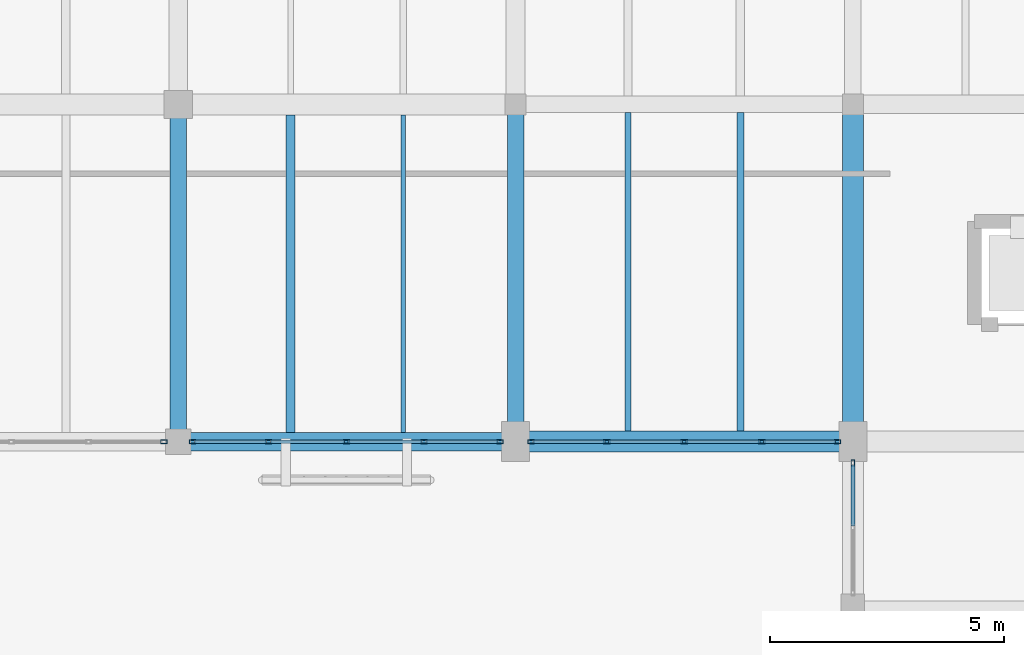
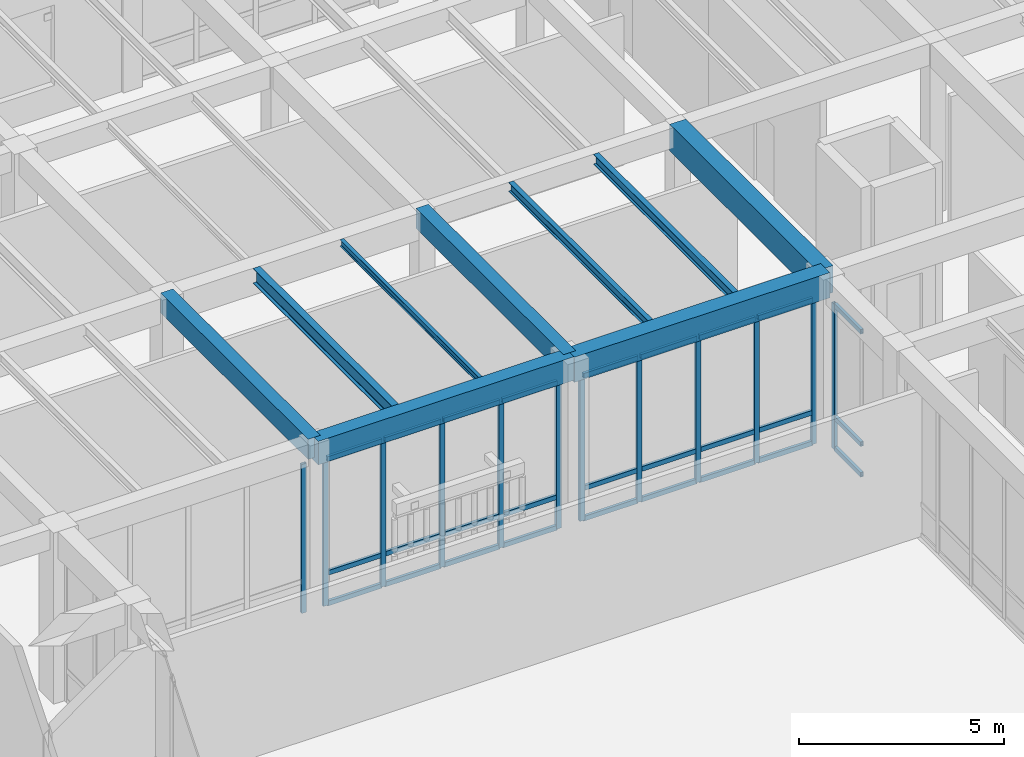
# One storey, part 102 of 169: 39 members, 9 beams, 4 elements without a shape of their own.
"""IFC4 building model written with IfcOpenShell, lengths in metres."""

import ifcopenshell
import ifcopenshell.guid

model = None  # the IFC model being written
_history = None  # IfcOwnerHistory: only IFC2X3 demands one
_inside = {}  # id of a spatial element -> (the spatial element, [elements in it])
_under = {}  # id of a project, library or spatial element -> (it, [spatial elements below it])
_declared = {}  # id of a project -> (the project, [libraries it declares])
_typed = {}  # id of a type object -> (the type object, [elements of that type])
_made_of = {}  # id of a material, layer set ... -> (it, [elements and type objects made of it])


def new_model(schema):
    """Start an empty IFC model of exactly this schema.

    Asked for "IFC4X3", IfcOpenShell would pick the latest addendum, in which some entities
    have other attributes; the version numbers below select the first issue.
    IFC2X3 requires an IfcOwnerHistory on every rooted entity: one is made here for all.
    """
    global model, _history
    if schema == "IFC4X3":
        model = ifcopenshell.file(schema_version=(4, 3, 0, 0))
    else:
        model = ifcopenshell.file(schema=schema)
    _inside.clear()
    _under.clear()
    _declared.clear()
    _typed.clear()
    _made_of.clear()
    _history = None
    if model.schema == "IFC2X3":
        org = make("IfcOrganization", Name="unknown")
        user = make(
            "IfcPersonAndOrganization",
            ThePerson=make("IfcPerson", FamilyName="unknown"),
            TheOrganization=org,
        )
        app = make(
            "IfcApplication",
            ApplicationDeveloper=org,
            Version="unknown",
            ApplicationFullName="unknown",
            ApplicationIdentifier="unknown",
        )
        _history = make(
            "IfcOwnerHistory",
            OwningUser=user,
            OwningApplication=app,
            ChangeAction="ADDED",
            CreationDate=0,
        )
    return model


def make(cls, **values):
    """One entity of the class cls with the attributes given. An attribute that is None is left unset."""
    return model.create_entity(
        cls, **{name: value for name, value in values.items() if value is not None}
    )


def rooted(cls, **values):
    """An entity with a GlobalId (a new one), such as an element, a storey or a relation."""
    return make(cls, GlobalId=ifcopenshell.guid.new(), OwnerHistory=_history, **values)


def si_unit(unit_type, name, prefix=None):
    """IfcSIUnit, for example si_unit("LENGTHUNIT", "METRE", prefix="MILLI")."""
    return make("IfcSIUnit", UnitType=unit_type, Prefix=prefix, Name=name)


def assignment(units):
    """IfcUnitAssignment: the units of a project."""
    return None if units is None else make("IfcUnitAssignment", Units=units)


def point(xyz):
    """IfcCartesianPoint."""
    return None if xyz is None else make("IfcCartesianPoint", Coordinates=xyz)


def direction(xyz):
    """IfcDirection."""
    return None if xyz is None else make("IfcDirection", DirectionRatios=xyz)


def frame(location, z_axis=None, x_axis=None):
    """IfcAxis2Placement3D, a coordinate frame: its origin and axes. An axis left out is left unset."""
    return make(
        "IfcAxis2Placement3D",
        Location=point(location),
        Axis=direction(z_axis),
        RefDirection=direction(x_axis),
    )


def frame_2d(location, x_axis=None):
    """IfcAxis2Placement2D, a coordinate frame in the plane: its origin and x axis."""
    return make(
        "IfcAxis2Placement2D", Location=point(location), RefDirection=direction(x_axis)
    )


def origin():
    """The frame at (0, 0, 0) with its axes left unset."""
    return frame((0.0, 0.0, 0.0))


def origin_2d():
    """The frame at (0, 0) in the plane with its x axis left unset."""
    return frame_2d((0.0, 0.0))


def place(relative_to, where):
    """IfcLocalPlacement: puts the frame where relative to a parent placement (None: the world)."""
    return make(
        "IfcLocalPlacement", PlacementRelTo=relative_to, RelativePlacement=where
    )


def context(
    kind, dimensions, precision=None, world=None, true_north=None, identifier=None
):
    """IfcGeometricRepresentationContext, for example the 3D "Model" context."""
    return make(
        "IfcGeometricRepresentationContext",
        ContextIdentifier=identifier,
        ContextType=kind,
        CoordinateSpaceDimension=dimensions,
        Precision=precision,
        WorldCoordinateSystem=world,
        TrueNorth=true_north,
    )


def subcontext(parent, identifier, kind, view, scale=None):
    """IfcGeometricRepresentationSubContext, for example "Body" below "Model"."""
    return make(
        "IfcGeometricRepresentationSubContext",
        ContextIdentifier=identifier,
        ContextType=kind,
        ParentContext=parent,
        TargetScale=scale,
        TargetView=view,
    )


def project(units=None, contexts=None):
    """IfcProject with its units and contexts."""
    return rooted(
        "IfcProject",
        Name="project",
        RepresentationContexts=contexts,
        UnitsInContext=assignment(units),
    )


def spatial(cls, under=None, at=None, **own):
    """A site, building, storey or space (cls), placed at a placement, below another one or the project."""
    s = rooted(cls, ObjectPlacement=at, **own)
    if under is not None:
        _under.setdefault(under.id(), (under, []))[1].append(s)
    return s


def profile(cls, at=None, kind="AREA", **sizes):
    """A parametric profile (cls). Its sizes go by their IFC names, for example OverallWidth=200.0."""
    return make(cls, ProfileType=kind, Position=at, **sizes)


def rectangle(**sizes):
    """IfcRectangleProfileDef."""
    return profile("IfcRectangleProfileDef", **sizes)


def hollow_rectangle(**sizes):
    """IfcRectangleHollowProfileDef."""
    return profile("IfcRectangleHollowProfileDef", **sizes)


def i_section(**sizes):
    """IfcIShapeProfileDef."""
    return profile("IfcIShapeProfileDef", **sizes)


def extrude(swept, where, along, depth):
    """IfcExtrudedAreaSolid: the profile swept, set in the frame where, extruded along a direction by depth."""
    return make(
        "IfcExtrudedAreaSolid",
        SweptArea=swept,
        Position=where,
        ExtrudedDirection=direction(along),
        Depth=depth,
    )


def shape(context_of_items, identifier, shape_type, items):
    """IfcShapeRepresentation: the items that make up one representation, for example the "Body"."""
    return make(
        "IfcShapeRepresentation",
        ContextOfItems=context_of_items,
        RepresentationIdentifier=identifier,
        RepresentationType=shape_type,
        Items=items,
    )


def material(Name=None, Category=None):
    """IfcMaterial."""
    return make("IfcMaterial", Name=Name, Category=Category)


def layer(
    of_material, thickness, ventilated=None, Name=None, Category=None, Priority=None
):
    """IfcMaterialLayer: one layer of a wall or slab, of a material (None: an air gap)."""
    return make(
        "IfcMaterialLayer",
        Material=of_material,
        LayerThickness=thickness,
        IsVentilated=ventilated,
        Name=Name,
        Category=Category,
        Priority=Priority,
    )


def layer_set(layers, Name=None):
    """IfcMaterialLayerSet."""
    return make("IfcMaterialLayerSet", MaterialLayers=layers, LayerSetName=Name)


def material_profile(
    of_material, cross_section, Name=None, Category=None, Priority=None
):
    """IfcMaterialProfile: a cross section and its material."""
    return make(
        "IfcMaterialProfile",
        Name=Name,
        Material=of_material,
        Profile=cross_section,
        Priority=Priority,
        Category=Category,
    )


def profile_set(profiles, Name=None, composite=None):
    """IfcMaterialProfileSet."""
    return make(
        "IfcMaterialProfileSet",
        Name=Name,
        MaterialProfiles=profiles,
        CompositeProfile=composite,
    )


def made_of(thing, what):
    """Note that an element or type object is made of a material, layer set ...; save() writes the relation."""
    if what is not None:
        _made_of.setdefault(what.id(), (what, []))[1].append(thing)
    return thing


def type_object(cls, material=None, **own):
    """A type object (cls), such as IfcWallType, which elements share."""
    return made_of(rooted(cls, **own), material)


def element(
    cls,
    number,
    at=None,
    inside=None,
    cuts=None,
    type_object=None,
    material=None,
    context=None,
    identifier="Body",
    shape_type=None,
    held_by="IfcProductDefinitionShape",
    body=None,
    shapes=None,
    **own,
):
    """One element of the class cls, such as IfcWall. Its Tag is "e" and its number.

    at: its placement. inside: the storey or other place that contains it. cuts: it is an
    opening in that element (IfcRelVoidsElement). A single representation is given by context,
    identifier, shape_type and body (its items); several are given by shapes. held_by: the class
    of the entity that holds the representations. save() writes the other relations.
    """
    e = rooted(cls, Tag="e%d" % number, ObjectPlacement=at, **own)
    if body is not None:
        shapes = [shape(context, identifier, shape_type, body)]
    if shapes is not None:
        e.Representation = make(held_by, Representations=shapes)
    if inside is not None:
        _inside.setdefault(inside.id(), (inside, []))[1].append(e)
    if cuts is not None:
        rooted(
            "IfcRelVoidsElement", RelatingBuildingElement=cuts, RelatedOpeningElement=e
        )
    if type_object is not None:
        _typed.setdefault(type_object.id(), (type_object, []))[1].append(e)
    return made_of(e, material)


def aggregate(whole, parts):
    """IfcRelAggregates: a whole, such as a stair, and the parts it consists of."""
    return rooted("IfcRelAggregates", RelatingObject=whole, RelatedObjects=parts)


def save(model, path):
    """Write the relations noted so far, then the file.

    IfcRelAggregates (storeys below a building ...), IfcRelContainedInSpatialStructure (elements
    in a storey), IfcRelDefinesByType, IfcRelAssociatesMaterial and IfcRelDeclares: one each for
    every whole, place, type object, material and project.
    """
    for whole, parts in _under.values():
        aggregate(whole, parts)
    for where, things in _inside.values():
        rooted(
            "IfcRelContainedInSpatialStructure",
            RelatedElements=things,
            RelatingStructure=where,
        )
    for kind, things in _typed.values():
        rooted("IfcRelDefinesByType", RelatedObjects=things, RelatingType=kind)
    for what, things in _made_of.values():
        rooted("IfcRelAssociatesMaterial", RelatedObjects=things, RelatingMaterial=what)
    for by, libraries in _declared.values():
        rooted("IfcRelDeclares", RelatingContext=by, RelatedDefinitions=libraries)
    model.write(path)


model = new_model("IFC4")

# Units and contexts
model_context = context("Model", 3, precision=1e-05, world=origin(), true_north=direction((0.0, 1.0)))
body_context = subcontext(model_context, "Body", "Model", "MODEL_VIEW")
ifc_project = project(units=[si_unit("LENGTHUNIT", "METRE"), si_unit("AREAUNIT", "SQUARE_METRE"), si_unit("VOLUMEUNIT", "CUBIC_METRE"), si_unit("PLANEANGLEUNIT", "RADIAN"), si_unit("MASSUNIT", "GRAM", prefix="KILO")], contexts=[model_context])

# Site, building, storey
site_placement = place(None, origin())
site = spatial("IfcSite", under=ifc_project, at=site_placement, CompositionType="ELEMENT")
building_placement = place(site_placement, origin())
building = spatial("IfcBuilding", under=site, at=building_placement, Name="Mazaris Harbour Polytechnic", CompositionType="ELEMENT")
storey_placement = place(building_placement, origin())
storey = spatial("IfcBuildingStorey", under=building, at=storey_placement, Name="L00", CompositionType="ELEMENT", Elevation=0.0)

# Curtain wall, member
ifc_material_1 = material(Name="Anodised Bronze Aluminium and Low-E Glass", Category="aluminium")
ifc_layer = layer(ifc_material_1, 0.169921875, Name="Anodised Bronze Aluminium and Low-E Glass")
ifc_layer_set = layer_set([ifc_layer], Name="Anodised Bronze Aluminium and Low-E Glass")
curtain_wall_type = type_object("IfcCurtainWallType", Name="Studio North-Light Curtain Wall", PredefinedType="NOTDEFINED", material=ifc_layer_set)
curtain_wall_1_placement = place(storey_placement, origin())
curtain_wall_1 = element("IfcCurtainWall", 1, at=curtain_wall_1_placement, inside=storey, type_object=curtain_wall_type, Name="V5 L00 Curtain Wall 194", PredefinedType="NOTDEFINED")
ifc_material_2 = material(Name="Anodised Bronze Steel S355", Category="steel")
ifc_material_profile_1 = material_profile(ifc_material_2, hollow_rectangle(XDim=0.080078125, YDim=0.139892578125, WallThickness=0.00634765625, at=origin_2d()), Name="RHS 80x140x6.3")
ifc_profile_set_1 = profile_set([ifc_material_profile_1], Name="Anodised Bronze Steel S355")
member_type_1 = type_object("IfcMemberType", Name="Curtain Mullion RHS80x140", PredefinedType="MULLION", material=ifc_profile_set_1)
member_1_placement = place(storey_placement, frame((143.693115234375, 86.39990234375, 0.0), z_axis=(0.0, 0.0, 1.0), x_axis=(0.0, -1.0, 0.0)))
member_1 = element("IfcMember", 2, at=member_1_placement, type_object=member_type_1, Name="CW-03 mullion 1", PredefinedType="MULLION", context=body_context, shape_type="SweptSolid", body=[
    extrude(hollow_rectangle(XDim=0.080078125, YDim=0.139892578125, WallThickness=0.00634765625, at=origin_2d()), origin(), (0.0, 0.0, 1.0), 4.43994140625),
])
aggregate(curtain_wall_1, [member_1])

# Curtain wall, members
curtain_wall_2_placement = place(storey_placement, origin())
curtain_wall_2 = element("IfcCurtainWall", 3, at=curtain_wall_2_placement, inside=storey, type_object=curtain_wall_type, Name="V5 L00 Curtain Wall 195", PredefinedType="NOTDEFINED")
member_2_placement = place(storey_placement, frame((150.867919921875, 86.39990234375, 0.0), z_axis=(0.0, 0.0, 1.0), x_axis=(0.0, -1.0, 0.0)))
member_2 = element("IfcMember", 4, at=member_2_placement, type_object=member_type_1, Name="CW-03 mullion 1", PredefinedType="MULLION", context=body_context, shape_type="SweptSolid", body=[
    extrude(hollow_rectangle(XDim=0.080078125, YDim=0.139892578125, WallThickness=0.00634765625, at=origin_2d()), origin(), (0.0, 0.0, 1.0), 4.389892578125),
])
member_3_placement = place(storey_placement, frame((149.247802734375, 86.39990234375, 0.0), z_axis=(0.0, 0.0, 1.0), x_axis=(0.0, -1.0, 0.0)))
member_3 = element("IfcMember", 5, at=member_3_placement, type_object=member_type_1, Name="CW-03 mullion 2", PredefinedType="MULLION", context=body_context, shape_type="SweptSolid", body=[
    extrude(hollow_rectangle(XDim=0.080078125, YDim=0.139892578125, WallThickness=0.00634765625, at=origin_2d()), origin(), (0.0, 0.0, 1.0), 4.389892578125),
])
member_4_placement = place(storey_placement, frame((147.58740234375, 86.39990234375, 0.0), z_axis=(0.0, 0.0, 1.0), x_axis=(0.0, -1.0, 0.0)))
member_4 = element("IfcMember", 6, at=member_4_placement, type_object=member_type_1, Name="CW-03 mullion 3", PredefinedType="MULLION", context=body_context, shape_type="SweptSolid", body=[
    extrude(hollow_rectangle(XDim=0.080078125, YDim=0.139892578125, WallThickness=0.00634765625, at=origin_2d()), origin(), (0.0, 0.0, 1.0), 4.389892578125),
])
member_5_placement = place(storey_placement, frame((145.92724609375, 86.39990234375, 0.0), z_axis=(0.0, 0.0, 1.0), x_axis=(0.0, -1.0, 0.0)))
member_5 = element("IfcMember", 7, at=member_5_placement, type_object=member_type_1, Name="CW-03 mullion 4", PredefinedType="MULLION", context=body_context, shape_type="SweptSolid", body=[
    extrude(hollow_rectangle(XDim=0.080078125, YDim=0.139892578125, WallThickness=0.00634765625, at=origin_2d()), origin(), (0.0, 0.0, 1.0), 4.389892578125),
])
member_6_placement = place(storey_placement, frame((144.306884765625, 86.39990234375, 0.0), z_axis=(0.0, 0.0, 1.0), x_axis=(0.0, -1.0, 0.0)))
member_6 = element("IfcMember", 8, at=member_6_placement, type_object=member_type_1, Name="CW-03 mullion 5", PredefinedType="MULLION", context=body_context, shape_type="SweptSolid", body=[
    extrude(hollow_rectangle(XDim=0.080078125, YDim=0.139892578125, WallThickness=0.00634765625, at=origin_2d()), origin(), (0.0, 0.0, 1.0), 4.389892578125),
])

curtain_wall_3_placement = place(storey_placement, origin())
curtain_wall_3 = element("IfcCurtainWall", 9, at=curtain_wall_3_placement, inside=storey, type_object=curtain_wall_type, Name="V5 L00 Curtain Wall 196", PredefinedType="NOTDEFINED")
member_7_placement = place(storey_placement, frame((158.068115234375, 86.39990234375, 0.0), z_axis=(0.0, 0.0, 1.0), x_axis=(0.0, -1.0, 0.0)))
member_7 = element("IfcMember", 10, at=member_7_placement, type_object=member_type_1, Name="CW-03 mullion 1", PredefinedType="MULLION", context=body_context, shape_type="SweptSolid", body=[
    extrude(hollow_rectangle(XDim=0.080078125, YDim=0.139892578125, WallThickness=0.00634765625, at=origin_2d()), origin(), (0.0, 0.0, 1.0), 4.340087890625),
])
member_8_placement = place(storey_placement, frame((156.4541015625, 86.39990234375, 0.0), z_axis=(0.0, 0.0, 1.0), x_axis=(0.0, -1.0, 0.0)))
member_8 = element("IfcMember", 11, at=member_8_placement, type_object=member_type_1, Name="CW-03 mullion 2", PredefinedType="MULLION", context=body_context, shape_type="SweptSolid", body=[
    extrude(hollow_rectangle(XDim=0.080078125, YDim=0.139892578125, WallThickness=0.00634765625, at=origin_2d()), origin(), (0.0, 0.0, 1.0), 4.340087890625),
])
member_9_placement = place(storey_placement, frame((154.800048828125, 86.39990234375, 0.0), z_axis=(0.0, 0.0, 1.0), x_axis=(0.0, -1.0, 0.0)))
member_9 = element("IfcMember", 12, at=member_9_placement, type_object=member_type_1, Name="CW-03 mullion 3", PredefinedType="MULLION", context=body_context, shape_type="SweptSolid", body=[
    extrude(hollow_rectangle(XDim=0.080078125, YDim=0.139892578125, WallThickness=0.00634765625, at=origin_2d()), origin(), (0.0, 0.0, 1.0), 4.340087890625),
])
member_10_placement = place(storey_placement, frame((153.14599609375, 86.39990234375, 0.0), z_axis=(0.0, 0.0, 1.0), x_axis=(0.0, -1.0, 0.0)))
member_10 = element("IfcMember", 13, at=member_10_placement, type_object=member_type_1, Name="CW-03 mullion 4", PredefinedType="MULLION", context=body_context, shape_type="SweptSolid", body=[
    extrude(hollow_rectangle(XDim=0.080078125, YDim=0.139892578125, WallThickness=0.00634765625, at=origin_2d()), origin(), (0.0, 0.0, 1.0), 4.340087890625),
])
member_11_placement = place(storey_placement, frame((151.531982421875, 86.39990234375, 0.0), z_axis=(0.0, 0.0, 1.0), x_axis=(0.0, -1.0, 0.0)))
member_11 = element("IfcMember", 14, at=member_11_placement, type_object=member_type_1, Name="CW-03 mullion 5", PredefinedType="MULLION", context=body_context, shape_type="SweptSolid", body=[
    extrude(hollow_rectangle(XDim=0.080078125, YDim=0.139892578125, WallThickness=0.00634765625, at=origin_2d()), origin(), (0.0, 0.0, 1.0), 4.340087890625),
])

# Curtain wall, member
curtain_wall_4_placement = place(storey_placement, origin())
curtain_wall_4 = element("IfcCurtainWall", 15, at=curtain_wall_4_placement, inside=storey, type_object=curtain_wall_type, Name="V5 L00 Curtain Wall 204", PredefinedType="NOTDEFINED")
member_12_placement = place(storey_placement, frame((158.39990234375, 85.943115234375, 0.0), z_axis=(0.0, 0.0, 1.0), x_axis=(1.0, 0.0, 0.0)))
member_12 = element("IfcMember", 16, at=member_12_placement, type_object=member_type_1, Name="CW-03 mullion 1", PredefinedType="MULLION", context=body_context, shape_type="SweptSolid", body=[
    extrude(hollow_rectangle(XDim=0.080078125, YDim=0.139892578125, WallThickness=0.00634765625, at=origin_2d()), origin(), (0.0, 0.0, 1.0), 4.340087890625),
])

# Member
ifc_material_3 = material(Name="Anodised Bronze Steel S355", Category="steel")
ifc_material_profile_2 = material_profile(ifc_material_3, hollow_rectangle(XDim=0.080078125, YDim=0.139892578125, WallThickness=0.00634765625, at=origin_2d()), Name="RHS 80x140x6.3")
ifc_profile_set_2 = profile_set([ifc_material_profile_2], Name="Anodised Bronze Steel S355")
member_type_2 = type_object("IfcMemberType", Name="Curtain Transom RHS80x140", PredefinedType="USERDEFINED", material=ifc_profile_set_2)
member_13_placement = place(storey_placement, frame((150.827880859375, 86.39990234375, 0.0400390625), z_axis=(-1.0, 0.0, 0.0), x_axis=(0.0, -1.0, 0.0)))
member_13 = element("IfcMember", 17, at=member_13_placement, type_object=member_type_2, Name="CW-03 transom 1.1", ObjectType="TRANSOM", PredefinedType="USERDEFINED", context=body_context, shape_type="SweptSolid", body=[
    extrude(hollow_rectangle(XDim=0.080078125, YDim=0.139892578125, WallThickness=0.00634765625, at=origin_2d()), origin(), (0.0, 0.0, 1.0), 1.5400390625),
])

member_14_placement = place(storey_placement, frame((150.827880859375, 86.39990234375, 0.949951171875), z_axis=(-1.0, 0.0, 0.0), x_axis=(0.0, -1.0, 0.0)))
member_14 = element("IfcMember", 18, at=member_14_placement, type_object=member_type_2, Name="CW-03 transom 1.2", ObjectType="TRANSOM", PredefinedType="USERDEFINED", context=body_context, shape_type="SweptSolid", body=[
    extrude(hollow_rectangle(XDim=0.080078125, YDim=0.139892578125, WallThickness=0.00634765625, at=origin_2d()), origin(), (0.0, 0.0, 1.0), 1.5400390625),
])

member_15_placement = place(storey_placement, frame((150.827880859375, 86.39990234375, 4.35009765625), z_axis=(-1.0, 0.0, 0.0), x_axis=(0.0, -1.0, 0.0)))
member_15 = element("IfcMember", 19, at=member_15_placement, type_object=member_type_2, Name="CW-03 transom 1.3", ObjectType="TRANSOM", PredefinedType="USERDEFINED", context=body_context, shape_type="SweptSolid", body=[
    extrude(hollow_rectangle(XDim=0.080078125, YDim=0.139892578125, WallThickness=0.00634765625, at=origin_2d()), origin(), (0.0, 0.0, 1.0), 1.5400390625),
])

member_16_placement = place(storey_placement, frame((149.207763671875, 86.39990234375, 0.0400390625), z_axis=(-1.0, 0.0, 0.0), x_axis=(0.0, -1.0, 0.0)))
member_16 = element("IfcMember", 20, at=member_16_placement, type_object=member_type_2, Name="CW-03 transom 2.1", ObjectType="TRANSOM", PredefinedType="USERDEFINED", context=body_context, shape_type="SweptSolid", body=[
    extrude(hollow_rectangle(XDim=0.080078125, YDim=0.139892578125, WallThickness=0.00634765625, at=origin_2d()), origin(), (0.0, 0.0, 1.0), 1.580322265625),
])

member_17_placement = place(storey_placement, frame((149.207763671875, 86.39990234375, 0.949951171875), z_axis=(-1.0, 0.0, 0.0), x_axis=(0.0, -1.0, 0.0)))
member_17 = element("IfcMember", 21, at=member_17_placement, type_object=member_type_2, Name="CW-03 transom 2.2", ObjectType="TRANSOM", PredefinedType="USERDEFINED", context=body_context, shape_type="SweptSolid", body=[
    extrude(hollow_rectangle(XDim=0.080078125, YDim=0.139892578125, WallThickness=0.00634765625, at=origin_2d()), origin(), (0.0, 0.0, 1.0), 1.580322265625),
])

member_18_placement = place(storey_placement, frame((149.207763671875, 86.39990234375, 4.35009765625), z_axis=(-1.0, 0.0, 0.0), x_axis=(0.0, -1.0, 0.0)))
member_18 = element("IfcMember", 22, at=member_18_placement, type_object=member_type_2, Name="CW-03 transom 2.3", ObjectType="TRANSOM", PredefinedType="USERDEFINED", context=body_context, shape_type="SweptSolid", body=[
    extrude(hollow_rectangle(XDim=0.080078125, YDim=0.139892578125, WallThickness=0.00634765625, at=origin_2d()), origin(), (0.0, 0.0, 1.0), 1.580322265625),
])

member_19_placement = place(storey_placement, frame((147.547607421875, 86.39990234375, 0.0400390625), z_axis=(-1.0, 0.0, 0.0), x_axis=(0.0, -1.0, 0.0)))
member_19 = element("IfcMember", 23, at=member_19_placement, type_object=member_type_2, Name="CW-03 transom 3.1", ObjectType="TRANSOM", PredefinedType="USERDEFINED", context=body_context, shape_type="SweptSolid", body=[
    extrude(hollow_rectangle(XDim=0.080078125, YDim=0.139892578125, WallThickness=0.00634765625, at=origin_2d()), origin(), (0.0, 0.0, 1.0), 1.580322265625),
])

member_20_placement = place(storey_placement, frame((147.547607421875, 86.39990234375, 0.949951171875), z_axis=(-1.0, 0.0, 0.0), x_axis=(0.0, -1.0, 0.0)))
member_20 = element("IfcMember", 24, at=member_20_placement, type_object=member_type_2, Name="CW-03 transom 3.2", ObjectType="TRANSOM", PredefinedType="USERDEFINED", context=body_context, shape_type="SweptSolid", body=[
    extrude(hollow_rectangle(XDim=0.080078125, YDim=0.139892578125, WallThickness=0.00634765625, at=origin_2d()), origin(), (0.0, 0.0, 1.0), 1.580322265625),
])

member_21_placement = place(storey_placement, frame((147.547607421875, 86.39990234375, 4.35009765625), z_axis=(-1.0, 0.0, 0.0), x_axis=(0.0, -1.0, 0.0)))
member_21 = element("IfcMember", 25, at=member_21_placement, type_object=member_type_2, Name="CW-03 transom 3.3", ObjectType="TRANSOM", PredefinedType="USERDEFINED", context=body_context, shape_type="SweptSolid", body=[
    extrude(hollow_rectangle(XDim=0.080078125, YDim=0.139892578125, WallThickness=0.00634765625, at=origin_2d()), origin(), (0.0, 0.0, 1.0), 1.580322265625),
])

member_22_placement = place(storey_placement, frame((145.88720703125, 86.39990234375, 0.0400390625), z_axis=(-1.0, 0.0, 0.0), x_axis=(0.0, -1.0, 0.0)))
member_22 = element("IfcMember", 26, at=member_22_placement, type_object=member_type_2, Name="CW-03 transom 4.1", ObjectType="TRANSOM", PredefinedType="USERDEFINED", context=body_context, shape_type="SweptSolid", body=[
    extrude(hollow_rectangle(XDim=0.080078125, YDim=0.139892578125, WallThickness=0.00634765625, at=origin_2d()), origin(), (0.0, 0.0, 1.0), 1.540283203125),
])

member_23_placement = place(storey_placement, frame((145.88720703125, 86.39990234375, 0.949951171875), z_axis=(-1.0, 0.0, 0.0), x_axis=(0.0, -1.0, 0.0)))
member_23 = element("IfcMember", 27, at=member_23_placement, type_object=member_type_2, Name="CW-03 transom 4.2", ObjectType="TRANSOM", PredefinedType="USERDEFINED", context=body_context, shape_type="SweptSolid", body=[
    extrude(hollow_rectangle(XDim=0.080078125, YDim=0.139892578125, WallThickness=0.00634765625, at=origin_2d()), origin(), (0.0, 0.0, 1.0), 1.540283203125),
])

member_24_placement = place(storey_placement, frame((145.88720703125, 86.39990234375, 4.35009765625), z_axis=(-1.0, 0.0, 0.0), x_axis=(0.0, -1.0, 0.0)))
member_24 = element("IfcMember", 28, at=member_24_placement, type_object=member_type_2, Name="CW-03 transom 4.3", ObjectType="TRANSOM", PredefinedType="USERDEFINED", context=body_context, shape_type="SweptSolid", body=[
    extrude(hollow_rectangle(XDim=0.080078125, YDim=0.139892578125, WallThickness=0.00634765625, at=origin_2d()), origin(), (0.0, 0.0, 1.0), 1.540283203125),
])

aggregate(curtain_wall_2, [member_2, member_3, member_4, member_5, member_6, member_13, member_14, member_15, member_16, member_17, member_18, member_19, member_20, member_21, member_22, member_23, member_24])

member_25_placement = place(storey_placement, frame((158.028076171875, 86.39990234375, 0.0400390625), z_axis=(-1.0, 0.0, 0.0), x_axis=(0.0, -1.0, 0.0)))
member_25 = element("IfcMember", 29, at=member_25_placement, type_object=member_type_2, Name="CW-03 transom 1.1", ObjectType="TRANSOM", PredefinedType="USERDEFINED", context=body_context, shape_type="SweptSolid", body=[
    extrude(hollow_rectangle(XDim=0.080078125, YDim=0.139892578125, WallThickness=0.00634765625, at=origin_2d()), origin(), (0.0, 0.0, 1.0), 1.5341796875),
])

member_26_placement = place(storey_placement, frame((158.028076171875, 86.39990234375, 0.949951171875), z_axis=(-1.0, 0.0, 0.0), x_axis=(0.0, -1.0, 0.0)))
member_26 = element("IfcMember", 30, at=member_26_placement, type_object=member_type_2, Name="CW-03 transom 1.2", ObjectType="TRANSOM", PredefinedType="USERDEFINED", context=body_context, shape_type="SweptSolid", body=[
    extrude(hollow_rectangle(XDim=0.080078125, YDim=0.139892578125, WallThickness=0.00634765625, at=origin_2d()), origin(), (0.0, 0.0, 1.0), 1.5341796875),
])

member_27_placement = place(storey_placement, frame((158.028076171875, 86.39990234375, 4.300048828125), z_axis=(-1.0, 0.0, 0.0), x_axis=(0.0, -1.0, 0.0)))
member_27 = element("IfcMember", 31, at=member_27_placement, type_object=member_type_2, Name="CW-03 transom 1.3", ObjectType="TRANSOM", PredefinedType="USERDEFINED", context=body_context, shape_type="SweptSolid", body=[
    extrude(hollow_rectangle(XDim=0.080078125, YDim=0.139892578125, WallThickness=0.00634765625, at=origin_2d()), origin(), (0.0, 0.0, 1.0), 1.5341796875),
])

member_28_placement = place(storey_placement, frame((156.4140625, 86.39990234375, 0.0400390625), z_axis=(-1.0, 0.0, 0.0), x_axis=(0.0, -1.0, 0.0)))
member_28 = element("IfcMember", 32, at=member_28_placement, type_object=member_type_2, Name="CW-03 transom 2.1", ObjectType="TRANSOM", PredefinedType="USERDEFINED", context=body_context, shape_type="SweptSolid", body=[
    extrude(hollow_rectangle(XDim=0.080078125, YDim=0.139892578125, WallThickness=0.00634765625, at=origin_2d()), origin(), (0.0, 0.0, 1.0), 1.573974609375),
])

member_29_placement = place(storey_placement, frame((156.4140625, 86.39990234375, 0.949951171875), z_axis=(-1.0, 0.0, 0.0), x_axis=(0.0, -1.0, 0.0)))
member_29 = element("IfcMember", 33, at=member_29_placement, type_object=member_type_2, Name="CW-03 transom 2.2", ObjectType="TRANSOM", PredefinedType="USERDEFINED", context=body_context, shape_type="SweptSolid", body=[
    extrude(hollow_rectangle(XDim=0.080078125, YDim=0.139892578125, WallThickness=0.00634765625, at=origin_2d()), origin(), (0.0, 0.0, 1.0), 1.573974609375),
])

member_30_placement = place(storey_placement, frame((156.4140625, 86.39990234375, 4.300048828125), z_axis=(-1.0, 0.0, 0.0), x_axis=(0.0, -1.0, 0.0)))
member_30 = element("IfcMember", 34, at=member_30_placement, type_object=member_type_2, Name="CW-03 transom 2.3", ObjectType="TRANSOM", PredefinedType="USERDEFINED", context=body_context, shape_type="SweptSolid", body=[
    extrude(hollow_rectangle(XDim=0.080078125, YDim=0.139892578125, WallThickness=0.00634765625, at=origin_2d()), origin(), (0.0, 0.0, 1.0), 1.573974609375),
])

member_31_placement = place(storey_placement, frame((154.760009765625, 86.39990234375, 0.0400390625), z_axis=(-1.0, 0.0, 0.0), x_axis=(0.0, -1.0, 0.0)))
member_31 = element("IfcMember", 35, at=member_31_placement, type_object=member_type_2, Name="CW-03 transom 3.1", ObjectType="TRANSOM", PredefinedType="USERDEFINED", context=body_context, shape_type="SweptSolid", body=[
    extrude(hollow_rectangle(XDim=0.080078125, YDim=0.139892578125, WallThickness=0.00634765625, at=origin_2d()), origin(), (0.0, 0.0, 1.0), 1.573974609375),
])

member_32_placement = place(storey_placement, frame((154.760009765625, 86.39990234375, 0.949951171875), z_axis=(-1.0, 0.0, 0.0), x_axis=(0.0, -1.0, 0.0)))
member_32 = element("IfcMember", 36, at=member_32_placement, type_object=member_type_2, Name="CW-03 transom 3.2", ObjectType="TRANSOM", PredefinedType="USERDEFINED", context=body_context, shape_type="SweptSolid", body=[
    extrude(hollow_rectangle(XDim=0.080078125, YDim=0.139892578125, WallThickness=0.00634765625, at=origin_2d()), origin(), (0.0, 0.0, 1.0), 1.573974609375),
])

member_33_placement = place(storey_placement, frame((154.760009765625, 86.39990234375, 4.300048828125), z_axis=(-1.0, 0.0, 0.0), x_axis=(0.0, -1.0, 0.0)))
member_33 = element("IfcMember", 37, at=member_33_placement, type_object=member_type_2, Name="CW-03 transom 3.3", ObjectType="TRANSOM", PredefinedType="USERDEFINED", context=body_context, shape_type="SweptSolid", body=[
    extrude(hollow_rectangle(XDim=0.080078125, YDim=0.139892578125, WallThickness=0.00634765625, at=origin_2d()), origin(), (0.0, 0.0, 1.0), 1.573974609375),
])

member_34_placement = place(storey_placement, frame((153.10595703125, 86.39990234375, 0.0400390625), z_axis=(-1.0, 0.0, 0.0), x_axis=(0.0, -1.0, 0.0)))
member_34 = element("IfcMember", 38, at=member_34_placement, type_object=member_type_2, Name="CW-03 transom 4.1", ObjectType="TRANSOM", PredefinedType="USERDEFINED", context=body_context, shape_type="SweptSolid", body=[
    extrude(hollow_rectangle(XDim=0.080078125, YDim=0.139892578125, WallThickness=0.00634765625, at=origin_2d()), origin(), (0.0, 0.0, 1.0), 1.533935546875),
])

member_35_placement = place(storey_placement, frame((153.10595703125, 86.39990234375, 0.949951171875), z_axis=(-1.0, 0.0, 0.0), x_axis=(0.0, -1.0, 0.0)))
member_35 = element("IfcMember", 39, at=member_35_placement, type_object=member_type_2, Name="CW-03 transom 4.2", ObjectType="TRANSOM", PredefinedType="USERDEFINED", context=body_context, shape_type="SweptSolid", body=[
    extrude(hollow_rectangle(XDim=0.080078125, YDim=0.139892578125, WallThickness=0.00634765625, at=origin_2d()), origin(), (0.0, 0.0, 1.0), 1.533935546875),
])

member_36_placement = place(storey_placement, frame((153.10595703125, 86.39990234375, 4.300048828125), z_axis=(-1.0, 0.0, 0.0), x_axis=(0.0, -1.0, 0.0)))
member_36 = element("IfcMember", 40, at=member_36_placement, type_object=member_type_2, Name="CW-03 transom 4.3", ObjectType="TRANSOM", PredefinedType="USERDEFINED", context=body_context, shape_type="SweptSolid", body=[
    extrude(hollow_rectangle(XDim=0.080078125, YDim=0.139892578125, WallThickness=0.00634765625, at=origin_2d()), origin(), (0.0, 0.0, 1.0), 1.533935546875),
])

aggregate(curtain_wall_3, [member_7, member_8, member_9, member_10, member_11, member_25, member_26, member_27, member_28, member_29, member_30, member_31, member_32, member_33, member_34, member_35, member_36])

member_37_placement = place(storey_placement, frame((158.39990234375, 85.903076171875, 0.0400390625), z_axis=(0.0, -1.0, 0.0), x_axis=(1.0, 0.0, 0.0)))
member_37 = element("IfcMember", 41, at=member_37_placement, type_object=member_type_2, Name="CW-03 transom 1.1", ObjectType="TRANSOM", PredefinedType="USERDEFINED", context=body_context, shape_type="SweptSolid", body=[
    extrude(hollow_rectangle(XDim=0.080078125, YDim=0.139892578125, WallThickness=0.00634765625, at=origin_2d()), origin(), (0.0, 0.0, 1.0), 1.300537109375),
])

member_38_placement = place(storey_placement, frame((158.39990234375, 85.903076171875, 0.949951171875), z_axis=(0.0, -1.0, 0.0), x_axis=(1.0, 0.0, 0.0)))
member_38 = element("IfcMember", 42, at=member_38_placement, type_object=member_type_2, Name="CW-03 transom 1.2", ObjectType="TRANSOM", PredefinedType="USERDEFINED", context=body_context, shape_type="SweptSolid", body=[
    extrude(hollow_rectangle(XDim=0.080078125, YDim=0.139892578125, WallThickness=0.00634765625, at=origin_2d()), origin(), (0.0, 0.0, 1.0), 1.300537109375),
])

member_39_placement = place(storey_placement, frame((158.39990234375, 85.903076171875, 4.300048828125), z_axis=(0.0, -1.0, 0.0), x_axis=(1.0, 0.0, 0.0)))
member_39 = element("IfcMember", 43, at=member_39_placement, type_object=member_type_2, Name="CW-03 transom 1.3", ObjectType="TRANSOM", PredefinedType="USERDEFINED", context=body_context, shape_type="SweptSolid", body=[
    extrude(hollow_rectangle(XDim=0.080078125, YDim=0.139892578125, WallThickness=0.00634765625, at=origin_2d()), origin(), (0.0, 0.0, 1.0), 1.300537109375),
])

aggregate(curtain_wall_4, [member_12, member_37, member_38, member_39])

# Beams
ifc_material_4 = material(Name="Concrete C35/45", Category="concrete")
ifc_material_profile_3 = material_profile(ifc_material_4, rectangle(XDim=0.35009765625, YDim=0.60009765625, at=origin_2d()), Name="RECT350x600")
ifc_profile_set_3 = profile_set([ifc_material_profile_3], Name="Concrete C35/45")
beam_type_1 = type_object("IfcBeamType", Name="RC Girder 350x600", PredefinedType="BEAM", material=ifc_profile_set_3)
for number, where, z_axis, x_axis, name in (
    (44, (144.0, 86.39990234375, 4.800048828125), (0.0, 1.0, 0.0), (-1.0, 0.0, 0.0), "V5 L00 Tie Girder 2785"),
    (45, (151.199951171875, 86.39990234375, 4.800048828125), (0.0, 1.0, 0.0), (-1.0, 0.0, 0.0), "V5 L00 Tie Girder 2790"),
):
    element("IfcBeam", number, at=place(storey_placement, frame(where, z_axis=z_axis, x_axis=x_axis)), inside=storey, type_object=beam_type_1, Name=name, PredefinedType="BEAM", context=body_context, shape_type="SweptSolid", body=[
        extrude(rectangle(XDim=0.35009765625, YDim=0.60009765625, at=origin_2d()), origin(), (0.0, 0.0, 1.0), 7.2001953125),
    ])
ifc_material_5 = material(Name="Concrete C35/45", Category="concrete")
ifc_material_profile_4 = material_profile(ifc_material_5, rectangle(XDim=0.39990234375, YDim=0.699951171875, at=origin_2d()), Name="RECT400x700")
ifc_profile_set_4 = profile_set([ifc_material_profile_4], Name="Concrete C35/45")
beam_type_2 = type_object("IfcBeamType", Name="RC Girder 400x700", PredefinedType="BEAM", material=ifc_profile_set_4)
beam_1_placement = place(storey_placement, frame((144.0, 86.39990234375, 4.75), z_axis=(1.0, 0.0, 0.0), x_axis=(0.0, 1.0, 0.0)))
element("IfcBeam", 46, at=beam_1_placement, inside=storey, type_object=beam_type_2, Name="V5 L00 Girder 2732", PredefinedType="BEAM", context=body_context, shape_type="SweptSolid", body=[
    extrude(rectangle(XDim=0.39990234375, YDim=0.699951171875, at=origin_2d()), origin(), (0.0, 0.0, 1.0), 7.199951171875),
])
ifc_material_6 = material(Name="Concrete C40/50", Category="concrete")
ifc_material_profile_5 = material_profile(ifc_material_6, rectangle(XDim=0.449951171875, YDim=0.75, at=origin_2d()), Name="RECT450x750")
ifc_profile_set_5 = profile_set([ifc_material_profile_5], Name="Concrete C40/50")
beam_type_3 = type_object("IfcBeamType", Name="RC Girder 450x750", PredefinedType="BEAM", material=ifc_profile_set_5)
beam_2_placement = place(storey_placement, frame((151.199951171875, 86.39990234375, 4.72509765625), z_axis=(1.0, 0.0, 0.0), x_axis=(0.0, 1.0, 0.0)))
element("IfcBeam", 47, at=beam_2_placement, inside=storey, type_object=beam_type_3, Name="V5 L00 Girder 2733", PredefinedType="BEAM", context=body_context, shape_type="SweptSolid", body=[
    extrude(rectangle(XDim=0.449951171875, YDim=0.75, at=origin_2d()), origin(), (0.0, 0.0, 1.0), 7.199951171875),
])
ifc_material_7 = material(Name="Concrete C40/50", Category="concrete")
ifc_material_profile_6 = material_profile(ifc_material_7, rectangle(XDim=0.449951171875, YDim=0.800048828125, at=origin_2d()), Name="RECT450x800")
ifc_profile_set_6 = profile_set([ifc_material_profile_6], Name="Concrete C40/50")
beam_type_4 = type_object("IfcBeamType", Name="RC Girder 450x800", PredefinedType="BEAM", material=ifc_profile_set_6)
beam_3_placement = place(storey_placement, frame((158.39990234375, 86.39990234375, 4.699951171875), z_axis=(0.0, 1.0, 0.0), x_axis=(-1.0, 0.0, 0.0)))
element("IfcBeam", 48, at=beam_3_placement, inside=storey, type_object=beam_type_4, Name="V5 L00 Tie Girder 2799", PredefinedType="BEAM", context=body_context, shape_type="SweptSolid", body=[
    extrude(rectangle(XDim=0.449951171875, YDim=0.800048828125, at=origin_2d()), origin(), (0.0, 0.0, 1.0), 7.2001953125),
])
ifc_material_8 = material(Name="Steel S355", Category="steel")
ifc_material_profile_7 = material_profile(ifc_material_8, i_section(OverallWidth=0.10009765625, OverallDepth=0.199951171875, WebThickness=0.005615234375, FlangeThickness=0.008544921875, FilletRadius=0.011962890625, at=origin_2d()), Name="IPE 200")
ifc_profile_set_7 = profile_set([ifc_material_profile_7], Name="Steel S355")
beam_type_5 = type_object("IfcBeamType", Name="Steel Joist IPE200", PredefinedType="JOIST", material=ifc_profile_set_7)
beam_4_placement = place(storey_placement, frame((148.800048828125, 86.60009765625, 5.0), z_axis=(0.0, 1.0, 0.0), x_axis=(-1.0, 0.0, 0.0)))
element("IfcBeam", 49, at=beam_4_placement, inside=storey, type_object=beam_type_5, Name="V5 L00 Floor Joist 2863", PredefinedType="JOIST", context=body_context, shape_type="SweptSolid", body=[
    extrude(i_section(OverallWidth=0.10009765625, OverallDepth=0.199951171875, WebThickness=0.005615234375, FlangeThickness=0.008544921875, FilletRadius=0.011962890625, at=origin_2d()), origin(), (0.0, 0.0, 1.0), 6.77490234375),
])
ifc_material_9 = material(Name="Steel S355", Category="steel")
ifc_material_profile_8 = material_profile(ifc_material_9, i_section(OverallWidth=0.135009765625, OverallDepth=0.27001953125, WebThickness=0.006591796875, FlangeThickness=0.01025390625, FilletRadius=0.014892578125, at=origin_2d()), Name="IPE 270")
ifc_profile_set_8 = profile_set([ifc_material_profile_8], Name="Steel S355")
beam_type_6 = type_object("IfcBeamType", Name="Steel Joist IPE270", PredefinedType="JOIST", material=ifc_profile_set_8)
beam_5_placement = place(storey_placement, frame((153.60009765625, 86.625, 4.965087890625), z_axis=(0.0, 1.0, 0.0), x_axis=(-1.0, 0.0, 0.0)))
element("IfcBeam", 50, at=beam_5_placement, inside=storey, type_object=beam_type_6, Name="V5 L00 Floor Joist 2872", PredefinedType="JOIST", context=body_context, shape_type="SweptSolid", body=[
    extrude(i_section(OverallWidth=0.135009765625, OverallDepth=0.27001953125, WebThickness=0.006591796875, FlangeThickness=0.01025390625, FilletRadius=0.014892578125, at=origin_2d()), origin(), (0.0, 0.0, 1.0), 6.800048828125),
])
ifc_material_10 = material(Name="Steel S355", Category="steel")
ifc_material_profile_9 = material_profile(ifc_material_10, i_section(OverallWidth=0.14990234375, OverallDepth=0.300048828125, WebThickness=0.007080078125, FlangeThickness=0.0107421875, FilletRadius=0.014892578125, at=origin_2d()), Name="IPE 300")
ifc_profile_set_9 = profile_set([ifc_material_profile_9], Name="Steel S355")
beam_type_7 = type_object("IfcBeamType", Name="Steel Joist IPE300", PredefinedType="JOIST", material=ifc_profile_set_9)
beam_6_placement = place(storey_placement, frame((156.0, 86.625, 4.949951171875), z_axis=(0.0, 1.0, 0.0), x_axis=(-1.0, 0.0, 0.0)))
element("IfcBeam", 51, at=beam_6_placement, inside=storey, type_object=beam_type_7, Name="V5 L00 Floor Joist 2873", PredefinedType="JOIST", context=body_context, shape_type="SweptSolid", body=[
    extrude(i_section(OverallWidth=0.14990234375, OverallDepth=0.300048828125, WebThickness=0.007080078125, FlangeThickness=0.0107421875, FilletRadius=0.014892578125, at=origin_2d()), origin(), (0.0, 0.0, 1.0), 6.800048828125),
])
ifc_material_11 = material(Name="Steel S355", Category="steel")
ifc_material_profile_10 = material_profile(ifc_material_11, i_section(OverallWidth=0.18994140625, OverallDepth=0.449951171875, WebThickness=0.009521484375, FlangeThickness=0.0146484375, FilletRadius=0.02099609375, at=origin_2d()), Name="IPE 450")
ifc_profile_set_10 = profile_set([ifc_material_profile_10], Name="Steel S355")
beam_type_8 = type_object("IfcBeamType", Name="Steel Joist IPE450", PredefinedType="JOIST", material=ifc_profile_set_10)
beam_7_placement = place(storey_placement, frame((146.39990234375, 86.60009765625, 4.875), z_axis=(0.0, 1.0, 0.0), x_axis=(-1.0, 0.0, 0.0)))
element("IfcBeam", 52, at=beam_7_placement, inside=storey, type_object=beam_type_8, Name="V5 L00 Floor Joist 2862", PredefinedType="JOIST", context=body_context, shape_type="SweptSolid", body=[
    extrude(i_section(OverallWidth=0.18994140625, OverallDepth=0.449951171875, WebThickness=0.009521484375, FlangeThickness=0.0146484375, FilletRadius=0.02099609375, at=origin_2d()), origin(), (0.0, 0.0, 1.0), 6.77490234375),
])

save(model, "model.ifc")
